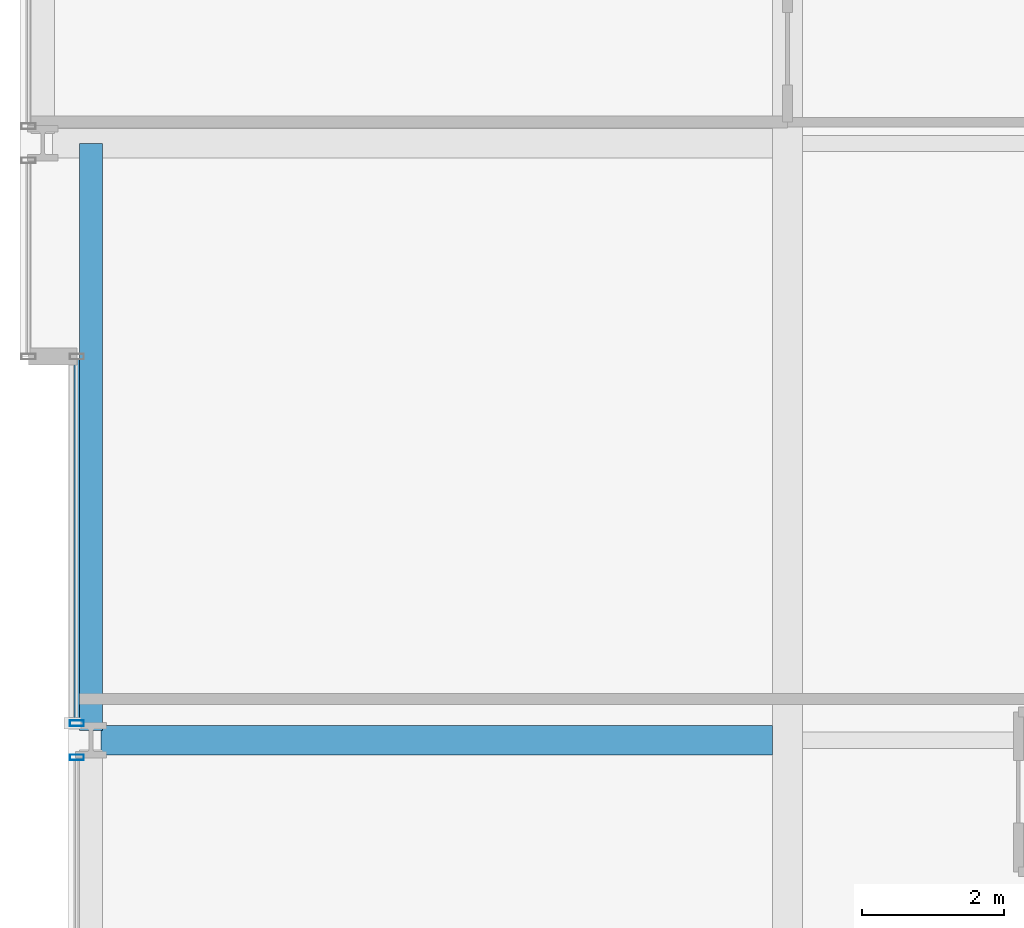
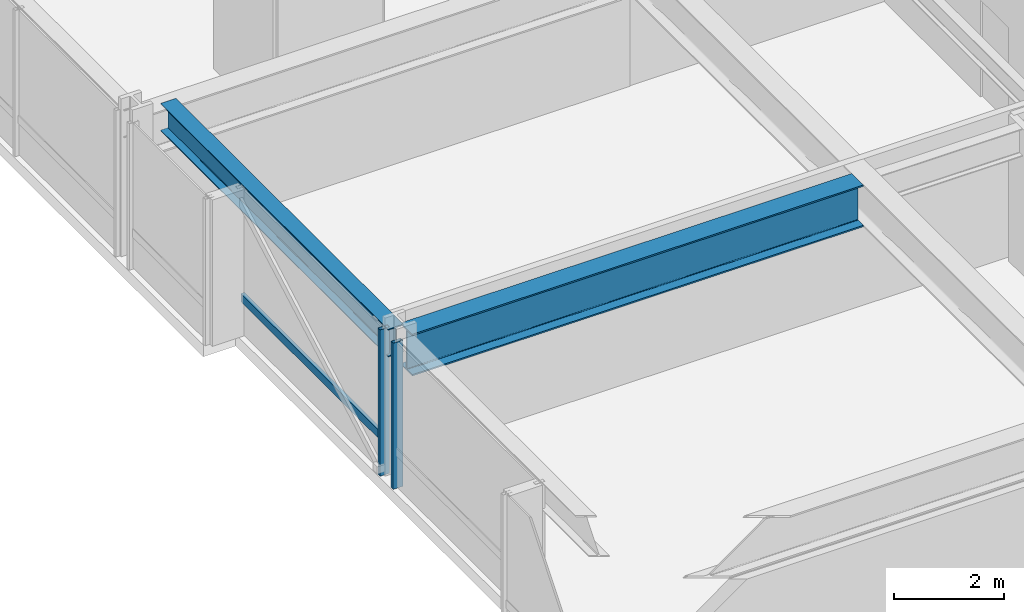
# One storey, part 9 of 37: 3 members, 2 beams, 2 elements without a shape of their own.
"""IFC4 building model written with IfcOpenShell, lengths in metres."""

import ifcopenshell
import ifcopenshell.guid

model = None  # the IFC model being written
_history = None  # IfcOwnerHistory: only IFC2X3 demands one
_inside = {}  # id of a spatial element -> (the spatial element, [elements in it])
_under = {}  # id of a project, library or spatial element -> (it, [spatial elements below it])
_declared = {}  # id of a project -> (the project, [libraries it declares])
_typed = {}  # id of a type object -> (the type object, [elements of that type])
_made_of = {}  # id of a material, layer set ... -> (it, [elements and type objects made of it])


def new_model(schema):
    """Start an empty IFC model of exactly this schema.

    Asked for "IFC4X3", IfcOpenShell would pick the latest addendum, in which some entities
    have other attributes; the version numbers below select the first issue.
    IFC2X3 requires an IfcOwnerHistory on every rooted entity: one is made here for all.
    """
    global model, _history
    if schema == "IFC4X3":
        model = ifcopenshell.file(schema_version=(4, 3, 0, 0))
    else:
        model = ifcopenshell.file(schema=schema)
    _inside.clear()
    _under.clear()
    _declared.clear()
    _typed.clear()
    _made_of.clear()
    _history = None
    if model.schema == "IFC2X3":
        org = make("IfcOrganization", Name="unknown")
        user = make(
            "IfcPersonAndOrganization",
            ThePerson=make("IfcPerson", FamilyName="unknown"),
            TheOrganization=org,
        )
        app = make(
            "IfcApplication",
            ApplicationDeveloper=org,
            Version="unknown",
            ApplicationFullName="unknown",
            ApplicationIdentifier="unknown",
        )
        _history = make(
            "IfcOwnerHistory",
            OwningUser=user,
            OwningApplication=app,
            ChangeAction="ADDED",
            CreationDate=0,
        )
    return model


def make(cls, **values):
    """One entity of the class cls with the attributes given. An attribute that is None is left unset."""
    return model.create_entity(
        cls, **{name: value for name, value in values.items() if value is not None}
    )


def rooted(cls, **values):
    """An entity with a GlobalId (a new one), such as an element, a storey or a relation."""
    return make(cls, GlobalId=ifcopenshell.guid.new(), OwnerHistory=_history, **values)


def si_unit(unit_type, name, prefix=None):
    """IfcSIUnit, for example si_unit("LENGTHUNIT", "METRE", prefix="MILLI")."""
    return make("IfcSIUnit", UnitType=unit_type, Prefix=prefix, Name=name)


def assignment(units):
    """IfcUnitAssignment: the units of a project."""
    return None if units is None else make("IfcUnitAssignment", Units=units)


def point(xyz):
    """IfcCartesianPoint."""
    return None if xyz is None else make("IfcCartesianPoint", Coordinates=xyz)


def direction(xyz):
    """IfcDirection."""
    return None if xyz is None else make("IfcDirection", DirectionRatios=xyz)


def frame(location, z_axis=None, x_axis=None):
    """IfcAxis2Placement3D, a coordinate frame: its origin and axes. An axis left out is left unset."""
    return make(
        "IfcAxis2Placement3D",
        Location=point(location),
        Axis=direction(z_axis),
        RefDirection=direction(x_axis),
    )


def frame_2d(location, x_axis=None):
    """IfcAxis2Placement2D, a coordinate frame in the plane: its origin and x axis."""
    return make(
        "IfcAxis2Placement2D", Location=point(location), RefDirection=direction(x_axis)
    )


def origin():
    """The frame at (0, 0, 0) with its axes left unset."""
    return frame((0.0, 0.0, 0.0))


def origin_2d():
    """The frame at (0, 0) in the plane with its x axis left unset."""
    return frame_2d((0.0, 0.0))


def place(relative_to, where):
    """IfcLocalPlacement: puts the frame where relative to a parent placement (None: the world)."""
    return make(
        "IfcLocalPlacement", PlacementRelTo=relative_to, RelativePlacement=where
    )


def context(
    kind, dimensions, precision=None, world=None, true_north=None, identifier=None
):
    """IfcGeometricRepresentationContext, for example the 3D "Model" context."""
    return make(
        "IfcGeometricRepresentationContext",
        ContextIdentifier=identifier,
        ContextType=kind,
        CoordinateSpaceDimension=dimensions,
        Precision=precision,
        WorldCoordinateSystem=world,
        TrueNorth=true_north,
    )


def subcontext(parent, identifier, kind, view, scale=None):
    """IfcGeometricRepresentationSubContext, for example "Body" below "Model"."""
    return make(
        "IfcGeometricRepresentationSubContext",
        ContextIdentifier=identifier,
        ContextType=kind,
        ParentContext=parent,
        TargetScale=scale,
        TargetView=view,
    )


def project(units=None, contexts=None):
    """IfcProject with its units and contexts."""
    return rooted(
        "IfcProject",
        Name="project",
        RepresentationContexts=contexts,
        UnitsInContext=assignment(units),
    )


def spatial(cls, under=None, at=None, **own):
    """A site, building, storey or space (cls), placed at a placement, below another one or the project."""
    s = rooted(cls, ObjectPlacement=at, **own)
    if under is not None:
        _under.setdefault(under.id(), (under, []))[1].append(s)
    return s


def profile(cls, at=None, kind="AREA", **sizes):
    """A parametric profile (cls). Its sizes go by their IFC names, for example OverallWidth=200.0."""
    return make(cls, ProfileType=kind, Position=at, **sizes)


def hollow_rectangle(**sizes):
    """IfcRectangleHollowProfileDef."""
    return profile("IfcRectangleHollowProfileDef", **sizes)


def i_section(**sizes):
    """IfcIShapeProfileDef."""
    return profile("IfcIShapeProfileDef", **sizes)


def extrude(swept, where, along, depth):
    """IfcExtrudedAreaSolid: the profile swept, set in the frame where, extruded along a direction by depth."""
    return make(
        "IfcExtrudedAreaSolid",
        SweptArea=swept,
        Position=where,
        ExtrudedDirection=direction(along),
        Depth=depth,
    )


def shape(context_of_items, identifier, shape_type, items):
    """IfcShapeRepresentation: the items that make up one representation, for example the "Body"."""
    return make(
        "IfcShapeRepresentation",
        ContextOfItems=context_of_items,
        RepresentationIdentifier=identifier,
        RepresentationType=shape_type,
        Items=items,
    )


def material(Name=None, Category=None):
    """IfcMaterial."""
    return make("IfcMaterial", Name=Name, Category=Category)


def layer(
    of_material, thickness, ventilated=None, Name=None, Category=None, Priority=None
):
    """IfcMaterialLayer: one layer of a wall or slab, of a material (None: an air gap)."""
    return make(
        "IfcMaterialLayer",
        Material=of_material,
        LayerThickness=thickness,
        IsVentilated=ventilated,
        Name=Name,
        Category=Category,
        Priority=Priority,
    )


def layer_set(layers, Name=None):
    """IfcMaterialLayerSet."""
    return make("IfcMaterialLayerSet", MaterialLayers=layers, LayerSetName=Name)


def material_profile(
    of_material, cross_section, Name=None, Category=None, Priority=None
):
    """IfcMaterialProfile: a cross section and its material."""
    return make(
        "IfcMaterialProfile",
        Name=Name,
        Material=of_material,
        Profile=cross_section,
        Priority=Priority,
        Category=Category,
    )


def profile_set(profiles, Name=None, composite=None):
    """IfcMaterialProfileSet."""
    return make(
        "IfcMaterialProfileSet",
        Name=Name,
        MaterialProfiles=profiles,
        CompositeProfile=composite,
    )


def made_of(thing, what):
    """Note that an element or type object is made of a material, layer set ...; save() writes the relation."""
    if what is not None:
        _made_of.setdefault(what.id(), (what, []))[1].append(thing)
    return thing


def type_object(cls, material=None, **own):
    """A type object (cls), such as IfcWallType, which elements share."""
    return made_of(rooted(cls, **own), material)


def element(
    cls,
    number,
    at=None,
    inside=None,
    cuts=None,
    type_object=None,
    material=None,
    context=None,
    identifier="Body",
    shape_type=None,
    held_by="IfcProductDefinitionShape",
    body=None,
    shapes=None,
    **own,
):
    """One element of the class cls, such as IfcWall. Its Tag is "e" and its number.

    at: its placement. inside: the storey or other place that contains it. cuts: it is an
    opening in that element (IfcRelVoidsElement). A single representation is given by context,
    identifier, shape_type and body (its items); several are given by shapes. held_by: the class
    of the entity that holds the representations. save() writes the other relations.
    """
    e = rooted(cls, Tag="e%d" % number, ObjectPlacement=at, **own)
    if body is not None:
        shapes = [shape(context, identifier, shape_type, body)]
    if shapes is not None:
        e.Representation = make(held_by, Representations=shapes)
    if inside is not None:
        _inside.setdefault(inside.id(), (inside, []))[1].append(e)
    if cuts is not None:
        rooted(
            "IfcRelVoidsElement", RelatingBuildingElement=cuts, RelatedOpeningElement=e
        )
    if type_object is not None:
        _typed.setdefault(type_object.id(), (type_object, []))[1].append(e)
    return made_of(e, material)


def aggregate(whole, parts):
    """IfcRelAggregates: a whole, such as a stair, and the parts it consists of."""
    return rooted("IfcRelAggregates", RelatingObject=whole, RelatedObjects=parts)


def save(model, path):
    """Write the relations noted so far, then the file.

    IfcRelAggregates (storeys below a building ...), IfcRelContainedInSpatialStructure (elements
    in a storey), IfcRelDefinesByType, IfcRelAssociatesMaterial and IfcRelDeclares: one each for
    every whole, place, type object, material and project.
    """
    for whole, parts in _under.values():
        aggregate(whole, parts)
    for where, things in _inside.values():
        rooted(
            "IfcRelContainedInSpatialStructure",
            RelatedElements=things,
            RelatingStructure=where,
        )
    for kind, things in _typed.values():
        rooted("IfcRelDefinesByType", RelatedObjects=things, RelatingType=kind)
    for what, things in _made_of.values():
        rooted("IfcRelAssociatesMaterial", RelatedObjects=things, RelatingMaterial=what)
    for by, libraries in _declared.values():
        rooted("IfcRelDeclares", RelatingContext=by, RelatedDefinitions=libraries)
    model.write(path)


model = new_model("IFC4")

# Units and contexts
model_context = context("Model", 3, precision=1e-05, world=origin(), true_north=direction((0.0, 1.0)))
body_context = subcontext(model_context, "Body", "Model", "MODEL_VIEW")
ifc_project = project(units=[si_unit("LENGTHUNIT", "METRE"), si_unit("AREAUNIT", "SQUARE_METRE"), si_unit("VOLUMEUNIT", "CUBIC_METRE"), si_unit("PLANEANGLEUNIT", "RADIAN"), si_unit("MASSUNIT", "GRAM", prefix="KILO")], contexts=[model_context])

# Site, building, storey
site_placement = place(None, origin())
site = spatial("IfcSite", under=ifc_project, at=site_placement, CompositionType="ELEMENT")
building_placement = place(site_placement, origin())
building = spatial("IfcBuilding", under=site, at=building_placement, Name="Drelvath Grand Hotel", CompositionType="ELEMENT")
storey_placement = place(building_placement, frame((0.0, 0.0, 43.699951171875)))
storey = spatial("IfcBuildingStorey", under=building, at=storey_placement, Name="L09", CompositionType="ELEMENT", Elevation=43.699951171875)

# Curtain wall, member
ifc_material_1 = material(Name="Warm Bronze Anodised Aluminium Frame", Category="aluminium")
ifc_layer = layer(ifc_material_1, 0.199951171875)
ifc_layer_set = layer_set([ifc_layer], Name="Warm Bronze Anodised Aluminium Frame")
curtain_wall_type = type_object("IfcCurtainWallType", Name="Stick Curtain Wall CW-02 Warm Bronze Low-Rise", PredefinedType="NOTDEFINED", material=ifc_layer_set)
curtain_wall_1_placement = place(storey_placement, origin())
curtain_wall_1 = element("IfcCurtainWall", 1, at=curtain_wall_1_placement, inside=storey, type_object=curtain_wall_type, Name="L09 CW-02 Curtain Wall CW02-L09-WM2", PredefinedType="NOTDEFINED")
ifc_material_profile_1 = material_profile(ifc_material_1, hollow_rectangle(XDim=0.074951171875, YDim=0.179931640625, WallThickness=0.0048828125, at=origin_2d()), Name="HSS180X75X5")
ifc_profile_set_1 = profile_set([ifc_material_profile_1], Name="Warm Bronze Anodised Aluminium Frame")
member_type_1 = type_object("IfcMemberType", Name="Curtain Wall Horizontal Transom CW-02 HSS180X75X5", PredefinedType="USERDEFINED", material=ifc_profile_set_1)
member_1_placement = place(storey_placement, frame((-26.199951171875, 27.281005859375, 0.81005859375), z_axis=(0.0, 1.0, 0.0), x_axis=(-1.0, 0.0, 0.0)))
member_1 = element("IfcMember", 2, at=member_1_placement, type_object=member_type_1, Name="CW02-L09-WM2 Sill Transom", ObjectType="TRANSOM", PredefinedType="USERDEFINED", context=body_context, shape_type="SweptSolid", body=[
    extrude(hollow_rectangle(XDim=0.074951171875, YDim=0.179931640625, WallThickness=0.0048828125, at=origin_2d()), origin(), (0.0, 0.0, 1.0), 5.0791015625),
])

curtain_wall_2_placement = place(storey_placement, origin())
curtain_wall_2 = element("IfcCurtainWall", 3, at=curtain_wall_2_placement, inside=storey, type_object=curtain_wall_type, Name="L09 CW-02 Curtain Wall CW02-L09-WM1", PredefinedType="NOTDEFINED")
ifc_material_profile_2 = material_profile(ifc_material_1, hollow_rectangle(XDim=0.080078125, YDim=0.199951171875, WallThickness=0.0048828125, at=origin_2d()), Name="HSS200X80X5")
ifc_profile_set_2 = profile_set([ifc_material_profile_2], Name="Warm Bronze Anodised Aluminium Frame")
member_type_2 = type_object("IfcMemberType", Name="Curtain Wall Vertical Mullion CW-02 HSS200X80X5", PredefinedType="MULLION", material=ifc_profile_set_2)
member_2_placement = place(storey_placement, frame((-26.199951171875, 26.759033203125, 0.0), z_axis=(0.0, 0.0, 1.0), x_axis=(0.0, 1.0, 0.0)))
member_2 = element("IfcMember", 4, at=member_2_placement, type_object=member_type_2, Name="CW02-L09-WM1 Mullion 2", PredefinedType="MULLION", context=body_context, shape_type="SweptSolid", body=[
    extrude(hollow_rectangle(XDim=0.080078125, YDim=0.199951171875, WallThickness=0.0048828125, at=origin_2d()), origin(), (0.0, 0.0, 1.0), 3.239990234375),
])
aggregate(curtain_wall_2, [member_2])

# Member
member_3_placement = place(storey_placement, frame((-26.199951171875, 27.240966796875, 0.0), z_axis=(0.0, 0.0, 1.0), x_axis=(0.0, 1.0, 0.0)))
member_3 = element("IfcMember", 5, at=member_3_placement, type_object=member_type_2, Name="CW02-L09-WM2 Mullion 1", PredefinedType="MULLION", context=body_context, shape_type="SweptSolid", body=[
    extrude(hollow_rectangle(XDim=0.080078125, YDim=0.199951171875, WallThickness=0.0048828125, at=origin_2d()), origin(), (0.0, 0.0, 1.0), 3.239990234375),
])

aggregate(curtain_wall_1, [member_3, member_1])

# Beams
ifc_material_2 = material(Name="Steel ASTM A992 Gr 50", Category="steel")
ifc_material_profile_3 = material_profile(ifc_material_2, i_section(OverallWidth=0.323974609375, OverallDepth=0.611083984375, WebThickness=0.0126953125, FlangeThickness=0.01904296875, FilletRadius=0.02197265625, at=origin_2d()), Name="W24X104")
ifc_profile_set_3 = profile_set([ifc_material_profile_3], Name="Steel ASTM A992 Gr 50")
beam_type_1 = type_object("IfcBeamType", Name="Perimeter Spandrel Beam W24X104", PredefinedType="SPANDREL", material=ifc_profile_set_3)
beam_1_placement = place(storey_placement, frame((-26.0, 27.139892578125, 2.9345703125), z_axis=(0.0, 1.0, 0.0), x_axis=(-1.0, 0.0, 0.0)))
element("IfcBeam", 6, at=beam_1_placement, inside=storey, type_object=beam_type_1, Name="L09 Spandrel West Mid N", PredefinedType="SPANDREL", context=body_context, shape_type="SweptSolid", body=[
    extrude(i_section(OverallWidth=0.323974609375, OverallDepth=0.611083984375, WebThickness=0.0126953125, FlangeThickness=0.01904296875, FilletRadius=0.02197265625, at=origin_2d()), origin(), (0.0, 0.0, 1.0), 8.260009765625),
])
ifc_material_profile_4 = material_profile(ifc_material_2, i_section(OverallWidth=0.418212890625, OverallDepth=0.926513671875, WebThickness=0.019287109375, FlangeThickness=0.031982421875, FilletRadius=0.028076171875, at=origin_2d()), Name="W36X231")
ifc_profile_set_4 = profile_set([ifc_material_profile_4], Name="Steel ASTM A992 Gr 50")
beam_type_2 = type_object("IfcBeamType", Name="Primary Floor Girder W36X231", PredefinedType="BEAM", material=ifc_profile_set_4)
beam_2_placement = place(storey_placement, frame((-25.860107421875, 27.0, 2.77685546875), z_axis=(1.0, 0.0, 0.0), x_axis=(0.0, 1.0, 0.0)))
element("IfcBeam", 7, at=beam_2_placement, inside=storey, type_object=beam_type_2, Name="L09 West Wing Girder E", PredefinedType="BEAM", context=body_context, shape_type="SweptSolid", body=[
    extrude(i_section(OverallWidth=0.418212890625, OverallDepth=0.926513671875, WebThickness=0.019287109375, FlangeThickness=0.031982421875, FilletRadius=0.028076171875, at=origin_2d()), origin(), (0.0, 0.0, 1.0), 9.450927734375),
])

save(model, "model.ifc")
